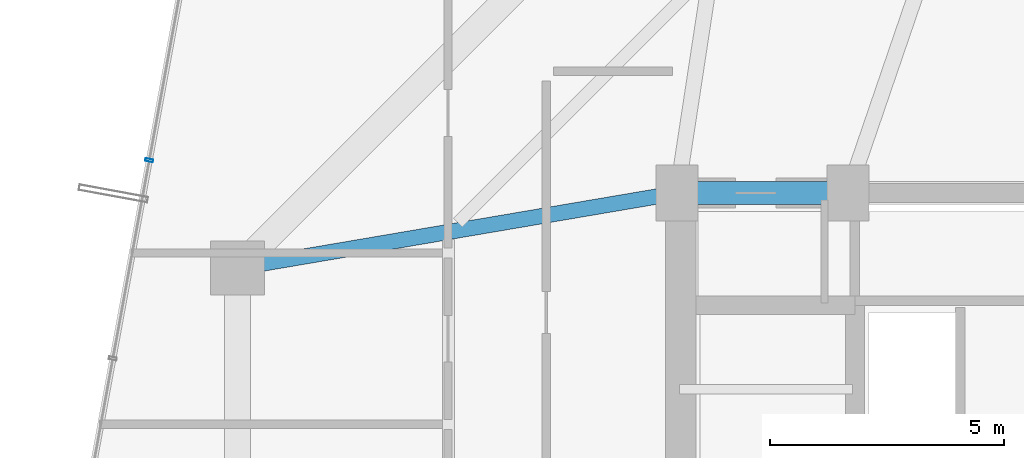
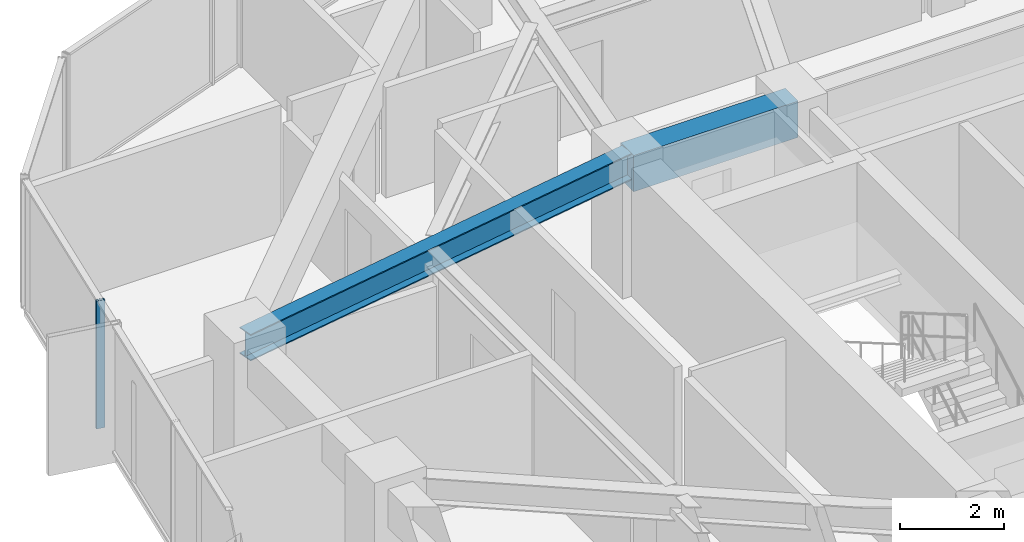
# One storey, part 15 of 33: 2 beams, 1 member, 1 element without a shape of its own.
"""IFC4 building model written with IfcOpenShell, lengths in metres."""

from ifc_helpers import new_model, si_unit, direction, frame, origin, origin_2d, place, context, subcontext, project, spatial, rectangle, hollow_rectangle, i_section, extrude, source, transform, mapped, material, layer, layer_set, material_profile, profile_set, type_object, element, aggregate, save


model = new_model("IFC4")

# Units and contexts
model_context = context("Model", 3, precision=1e-05, world=origin(), true_north=direction((0.0, 1.0)))
body_context = subcontext(model_context, "Body", "Model", "MODEL_VIEW")
ifc_project = project(units=[si_unit("LENGTHUNIT", "METRE"), si_unit("AREAUNIT", "SQUARE_METRE"), si_unit("VOLUMEUNIT", "CUBIC_METRE"), si_unit("PLANEANGLEUNIT", "RADIAN"), si_unit("MASSUNIT", "GRAM", prefix="KILO")], contexts=[model_context])

# Site, building, storey
site_placement = place(None, origin())
site = spatial("IfcSite", under=ifc_project, at=site_placement, CompositionType="ELEMENT")
building_placement = place(site_placement, origin())
building = spatial("IfcBuilding", under=site, at=building_placement, Name="Veraguas Prism Commons", CompositionType="ELEMENT")
storey_placement = place(building_placement, frame((0.0, 0.0, 92.699951171875)))
storey = spatial("IfcBuildingStorey", under=building, at=storey_placement, Name="L25", CompositionType="ELEMENT", Elevation=92.699951171875)

# Beams
ifc_material_1 = material(Name="Concrete C50/60", Category="concrete")
ifc_material_profile_1 = material_profile(ifc_material_1, rectangle(XDim=0.5, YDim=0.85009765625, at=origin_2d()), Name="RC500X850")
ifc_profile_set_1 = profile_set([ifc_material_profile_1], Name="Concrete C50/60")
beam_type_1 = type_object("IfcBeamType", Name="Core Coupling Beam RC 500x850", PredefinedType="BEAM", material=ifc_profile_set_1)
beam_1_placement = place(storey_placement, frame((17.199951171875, 31.0, 2.574951171875), z_axis=(1.0, 0.0, 0.0), x_axis=(0.0, 1.0, 0.0)))
element("IfcBeam", 1, at=beam_1_placement, inside=storey, type_object=beam_type_1, Name="Core Coupling Beam L25-CRN1", PredefinedType="BEAM", context=body_context, shape_type="SweptSolid", body=[
    extrude(rectangle(XDim=0.5, YDim=0.85009765625, at=origin_2d()), origin(), (0.0, 0.0, 1.0), 3.650146484375),
])
ifc_material_2 = material(Name="Steel ASTM A992 Grade 50", Category="steel")
ifc_material_profile_2 = material_profile(ifc_material_2, i_section(OverallWidth=0.327880859375, OverallDepth=0.6220703125, WebThickness=0.015380859375, FlangeThickness=0.0244140625, at=origin_2d()), Name="W610X195")
ifc_profile_set_2 = profile_set([ifc_material_profile_2], Name="Steel ASTM A992 Grade 50")
beam_type_2 = type_object("IfcBeamType", Name="Zone 2 Radial Girder W610x195", PredefinedType="BEAM", material=ifc_profile_set_2)
beam_2_placement = place(storey_placement, frame((7.800048828125, 29.39990234375, 2.68896484375), z_axis=(0.985819187151, 0.1678109956, 0.0), x_axis=(-0.1678109956, 0.985819187151, 0.0)))
element("IfcBeam", 2, at=beam_2_placement, inside=storey, type_object=beam_type_2, Name="Radial Floor Girder L25-RD07", PredefinedType="BEAM", context=body_context, shape_type="SweptSolid", body=[
    extrude(i_section(OverallWidth=0.327880859375, OverallDepth=0.6220703125, WebThickness=0.015380859375, FlangeThickness=0.0244140625, at=origin_2d()), origin(), (0.0, 0.0, 1.0), 9.53515625),
])

# Curtain wall, member
ifc_material_3 = material(Name="Anodised aluminium EN AW-6063 T6", Category="aluminium")
ifc_layer = layer(ifc_material_3, 0.169921875, Name="Unitised Flush Curtain Wall Zone 2", Category="aluminium")
ifc_layer_set = layer_set([ifc_layer], Name="Anodised aluminium EN AW-6063 T6")
curtain_wall_type = type_object("IfcCurtainWallType", Name="Unitised Flush Curtain Wall Zone 2", PredefinedType="NOTDEFINED", material=ifc_layer_set)
curtain_wall_placement = place(storey_placement, origin())
curtain_wall = element("IfcCurtainWall", 3, at=curtain_wall_placement, inside=storey, type_object=curtain_wall_type, Name="Tower Facade Curtain Wall L25-F3", PredefinedType="NOTDEFINED")
ifc_material_profile_3 = material_profile(ifc_material_3, hollow_rectangle(XDim=0.06005859375, YDim=0.169921875, WallThickness=0.00390625, at=origin_2d()), Name="AL60X170X4")
ifc_profile_set_3 = profile_set([ifc_material_profile_3], Name="Anodised aluminium EN AW-6063 T6")
member_type = type_object("IfcMemberType", Name="Curtain Wall Mullion Lower AL 60x170x4", PredefinedType="MULLION", material=ifc_profile_set_3)
shared_shape = source(origin(), body_context, "Body", "SweptSolid", [
    extrude(hollow_rectangle(XDim=0.06005859375, YDim=0.169921875, WallThickness=0.00390625, at=origin_2d()), origin(), (0.0, 0.0, 1.0), 3.0),
])
member_placement = place(storey_placement, frame((5.910400390625, 31.70068359375, 0.0), z_axis=(0.0, 0.0, 1.0), x_axis=(-0.180522578562, -0.983570840677, 0.0)))
member = element("IfcMember", 4, at=member_placement, type_object=member_type, Name="CW-Z2 Mullion 2", PredefinedType="MULLION", context=body_context, shape_type="MappedRepresentation", body=[
    mapped(shared_shape, transform((0.0, 0.0, 0.0), scale=1.0)),
])
aggregate(curtain_wall, [member])

save(model, "model.ifc")
